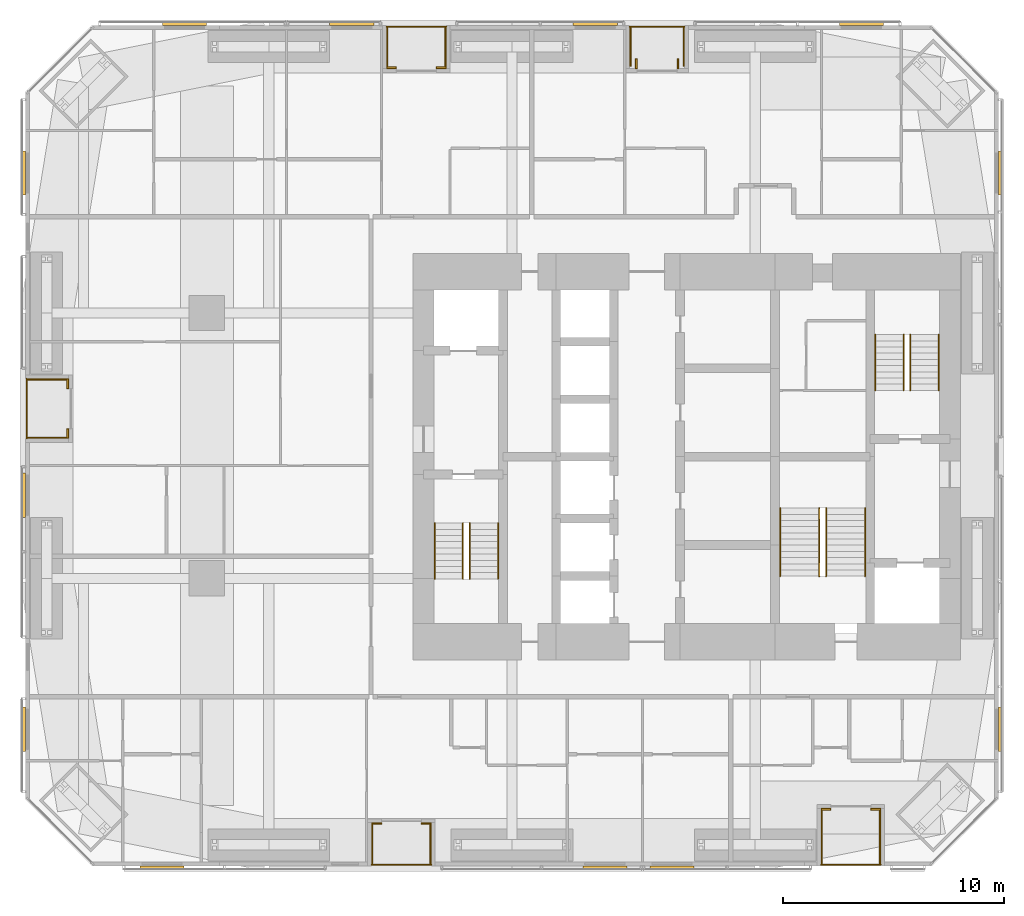
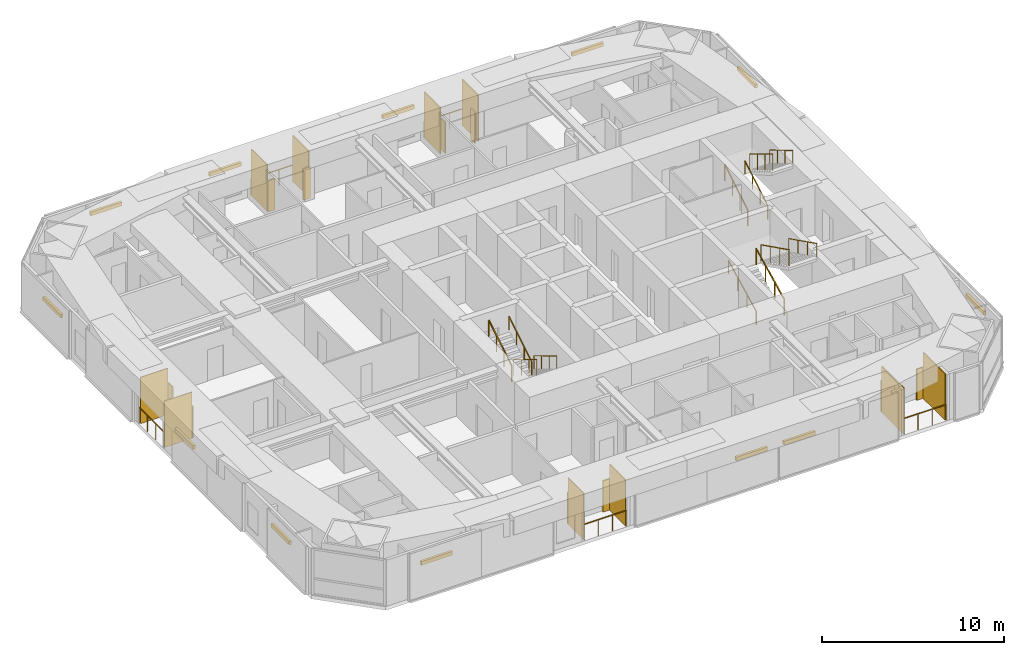
# One storey, part 22 of 22: 32 shading devices, 17 railings.
"""IFC4 building model written with IfcOpenShell, lengths in metres."""

from ifc_helpers import new_model, si_unit, direction, frame, origin, origin_2d, place, context, subcontext, project, spatial, rectangle, circle, extrude, material, layer, layer_set, constituent, constituent_set, type_object, element, save


model = new_model("IFC4")

# Units and contexts
model_context = context("Model", 3, precision=1e-05, world=origin(), true_north=direction((0.0, 1.0)))
body_context = subcontext(model_context, "Body", "Model", "MODEL_VIEW")
ifc_project = project(units=[si_unit("LENGTHUNIT", "METRE"), si_unit("AREAUNIT", "SQUARE_METRE"), si_unit("VOLUMEUNIT", "CUBIC_METRE"), si_unit("PLANEANGLEUNIT", "RADIAN"), si_unit("MASSUNIT", "GRAM", prefix="KILO")], contexts=[model_context])

# Site, building, storey
site_placement = place(None, origin())
site = spatial("IfcSite", under=ifc_project, at=site_placement, CompositionType="ELEMENT")
building_placement = place(site_placement, origin())
building = spatial("IfcBuilding", under=site, at=building_placement, Name="Jalousie Tower", CompositionType="ELEMENT")
storey_placement = place(building_placement, frame((0.0, 0.0, 67.89990234375)))
storey = spatial("IfcBuildingStorey", under=building, at=storey_placement, Name="L18", CompositionType="ELEMENT", Elevation=67.89990234375)

# Shading devices
ifc_material_1 = material(Name="Aluminium impact-rated louvred storm shutter", Category="aluminium")
shading_device_type_1 = type_object("IfcShadingDeviceType", Name="BI-FOLD STORM SHUTTER 900x2100", PredefinedType="SHUTTER", material=ifc_material_1)
for number, where, z_axis, x_axis, name in (
    (1, (17.875, 1.909912109375, 0.0), (0.0, 0.0, 1.0), (1.0, 0.0, 0.0), "Loggia storm shutter L18"),
    (2, (20.125, 1.909912109375, 0.0), (0.0, 0.0, 1.0), (1.0, 0.0, 0.0), "Loggia storm shutter L18"),
    (3, (38.199951171875, 2.56005859375, 0.0), (0.0, 0.0, 1.0), (1.0, 0.0, 0.0), "Loggia storm shutter L18"),
    (4, (40.449951171875, 2.56005859375, 0.0), (0.0, 0.0, 1.0), (1.0, 0.0, 0.0), "Loggia storm shutter L18"),
    (5, (31.50244140625, 36.27490234375, 0.0), (0.0, 0.0, 1.0), (0.0, -1.0, 0.0), "Loggia storm shutter L18"),
    (6, (29.62255859375, 36.27490234375, 0.0), (0.0, 0.0, 1.0), (0.0, -1.0, 0.0), "Loggia storm shutter L18"),
    (7, (20.800048828125, 36.090087890625, 0.0), (0.0, 0.0, 1.0), (-1.0, 0.0, 0.0), "Loggia storm shutter L18"),
    (8, (18.550048828125, 36.090087890625, 0.0), (0.0, 0.0, 1.0), (-1.0, 0.0, 0.0), "Loggia storm shutter L18"),
    (9, (3.909912109375, 21.800048828125, 0.0), (0.0, 0.0, 1.0), (0.0, -1.0, 0.0), "Loggia storm shutter L18"),
    (10, (3.909912109375, 19.550048828125, 0.0), (0.0, 0.0, 1.0), (0.0, -1.0, 0.0), "Loggia storm shutter L18"),
):
    element("IfcShadingDevice", number, at=place(storey_placement, frame(where, z_axis=z_axis, x_axis=x_axis)), inside=storey, type_object=shading_device_type_1, Name=name, PredefinedType="SHUTTER", context=body_context, shape_type="SweptSolid", body=[
        extrude(rectangle(XDim=0.449951171875, YDim=0.080078125, at=origin_2d()), origin(), (0.0, 0.0, 1.0), 2.10009765625),
    ])

# Railings
ifc_material_2 = material(Name="Powder-coated aluminium fretwork", Category="aluminium")
railing_type_1 = type_object("IfcRailingType", Name="FRETWORK BALUSTRADE 1100", PredefinedType="BALUSTRADE", material=ifc_material_2)
railing_1_placement = place(storey_placement, frame((17.64990234375, 0.050048828125, 0.0)))
element("IfcRailing", 11, at=railing_1_placement, inside=storey, type_object=railing_type_1, Name="Loggia fretwork balustrade L18", PredefinedType="BALUSTRADE", context=body_context, shape_type="SweptSolid", body=[
    extrude(rectangle(XDim=0.048095703125, YDim=0.048095703125, at=origin_2d()), frame((0.0, 0.0, 1.076171875), z_axis=(1.0, 0.0, 0.0), x_axis=(0.0, 1.0, 0.0)), (0.0, 0.0, 1.0), 2.7001953125),
    extrude(circle(Radius=0.02099609375, at=origin_2d()), origin(), (0.0, 0.0, 1.0), 1.052001953125),
    extrude(circle(Radius=0.02099609375, at=origin_2d()), frame((0.900146484375, 0.0, 0.0)), (0.0, 0.0, 1.0), 1.052001953125),
    extrude(circle(Radius=0.02099609375, at=origin_2d()), frame((1.800048828125, 0.0, 0.0)), (0.0, 0.0, 1.0), 1.052001953125),
    extrude(circle(Radius=0.02099609375, at=origin_2d()), frame((2.7001953125, 0.0, 0.0)), (0.0, 0.0, 1.0), 1.052001953125),
])
railing_2_placement = place(storey_placement, frame((37.97509765625, 0.050048828125, 0.0)))
element("IfcRailing", 12, at=railing_2_placement, inside=storey, type_object=railing_type_1, Name="Loggia fretwork balustrade L18", PredefinedType="BALUSTRADE", context=body_context, shape_type="SweptSolid", body=[
    extrude(rectangle(XDim=0.048095703125, YDim=0.048095703125, at=origin_2d()), frame((0.0, 0.0, 1.076171875), z_axis=(1.0, 0.0, 0.0), x_axis=(0.0, 1.0, 0.0)), (0.0, 0.0, 1.0), 2.699951171875),
    extrude(circle(Radius=0.02099609375, at=origin_2d()), origin(), (0.0, 0.0, 1.0), 1.052001953125),
    extrude(circle(Radius=0.02099609375, at=origin_2d()), frame((0.89990234375, 0.0, 0.0)), (0.0, 0.0, 1.0), 1.052001953125),
    extrude(circle(Radius=0.02099609375, at=origin_2d()), frame((1.800048828125, 0.0, 0.0)), (0.0, 0.0, 1.0), 1.052001953125),
    extrude(circle(Radius=0.02099609375, at=origin_2d()), frame((2.699951171875, 0.0, 0.0)), (0.0, 0.0, 1.0), 1.052001953125),
])
railing_3_placement = place(storey_placement, frame((31.800048828125, 37.949951171875, 0.0)))
element("IfcRailing", 13, at=railing_3_placement, inside=storey, type_object=railing_type_1, Name="Loggia fretwork balustrade L18", PredefinedType="BALUSTRADE", context=body_context, shape_type="SweptSolid", body=[
    extrude(rectangle(XDim=0.048095703125, YDim=0.048095703125, at=origin_2d()), frame((0.0, 0.0, 1.076171875), z_axis=(-1.0, 0.0, 0.0), x_axis=(0.0, -1.0, 0.0)), (0.0, 0.0, 1.0), 2.47509765625),
    extrude(circle(Radius=0.02099609375, at=origin_2d()), origin(), (0.0, 0.0, 1.0), 1.052001953125),
    extrude(circle(Radius=0.02099609375, at=origin_2d()), frame((-0.824951171875, 0.0, 0.0)), (0.0, 0.0, 1.0), 1.052001953125),
    extrude(circle(Radius=0.02099609375, at=origin_2d()), frame((-1.650146484375, 0.0, 0.0)), (0.0, 0.0, 1.0), 1.052001953125),
    extrude(circle(Radius=0.02099609375, at=origin_2d()), frame((-2.47509765625, 0.0, 0.0)), (0.0, 0.0, 1.0), 1.052001953125),
])
railing_4_placement = place(storey_placement, frame((21.02490234375, 37.949951171875, 0.0)))
element("IfcRailing", 14, at=railing_4_placement, inside=storey, type_object=railing_type_1, Name="Loggia fretwork balustrade L18", PredefinedType="BALUSTRADE", context=body_context, shape_type="SweptSolid", body=[
    extrude(rectangle(XDim=0.048095703125, YDim=0.048095703125, at=origin_2d()), frame((0.0, 0.0, 1.076171875), z_axis=(-1.0, 0.0, 0.0), x_axis=(0.0, -1.0, 0.0)), (0.0, 0.0, 1.0), 2.699951171875),
    extrude(circle(Radius=0.02099609375, at=origin_2d()), origin(), (0.0, 0.0, 1.0), 1.052001953125),
    extrude(circle(Radius=0.02099609375, at=origin_2d()), frame((-0.89990234375, 0.0, 0.0)), (0.0, 0.0, 1.0), 1.052001953125),
    extrude(circle(Radius=0.02099609375, at=origin_2d()), frame((-1.800048828125, 0.0, 0.0)), (0.0, 0.0, 1.0), 1.052001953125),
    extrude(circle(Radius=0.02099609375, at=origin_2d()), frame((-2.699951171875, 0.0, 0.0)), (0.0, 0.0, 1.0), 1.052001953125),
])
railing_5_placement = place(storey_placement, frame((2.050048828125, 22.02490234375, 0.0)))
element("IfcRailing", 15, at=railing_5_placement, inside=storey, type_object=railing_type_1, Name="Loggia fretwork balustrade L18", PredefinedType="BALUSTRADE", context=body_context, shape_type="SweptSolid", body=[
    extrude(rectangle(XDim=0.048095703125, YDim=0.048095703125, at=origin_2d()), frame((0.0, 0.0, 1.076171875), z_axis=(0.0, -1.0, 0.0), x_axis=(1.0, 0.0, 0.0)), (0.0, 0.0, 1.0), 2.699951171875),
    extrude(circle(Radius=0.02099609375, at=origin_2d()), origin(), (0.0, 0.0, 1.0), 1.052001953125),
    extrude(circle(Radius=0.02099609375, at=origin_2d()), frame((0.0, -0.89990234375, 0.0)), (0.0, 0.0, 1.0), 1.052001953125),
    extrude(circle(Radius=0.02099609375, at=origin_2d()), frame((0.0, -1.800048828125, 0.0)), (0.0, 0.0, 1.0), 1.052001953125),
    extrude(circle(Radius=0.02099609375, at=origin_2d()), frame((0.0, -2.699951171875, 0.0)), (0.0, 0.0, 1.0), 1.052001953125),
])

# Shading devices
ifc_material_3 = material(Name="Powder-coated aluminium louvres", Category="aluminium")
ifc_layer = layer(ifc_material_3, 0.06005859375)
ifc_layer_set = layer_set([ifc_layer], Name="Powder-coated aluminium louvres")
shading_device_type_2 = type_object("IfcShadingDeviceType", Name="JALOUSIE LOUVRE SCREEN", PredefinedType="JALOUSIE", material=ifc_layer_set)
for number, where, z_axis, x_axis, name in (
    (16, (17.679931640625, 0.97509765625, 0.0), (0.0, 0.0, 1.0), (1.0, 0.0, 0.0), "Loggia jalousie louvre screen L18"),
    (17, (20.320068359375, 0.97509765625, 0.0), (0.0, 0.0, 1.0), (1.0, 0.0, 0.0), "Loggia jalousie louvre screen L18"),
):
    element("IfcShadingDevice", number, at=place(storey_placement, frame(where, z_axis=z_axis, x_axis=x_axis)), inside=storey, type_object=shading_device_type_2, Name=name, PredefinedType="JALOUSIE", context=body_context, shape_type="SweptSolid", body=[
        extrude(rectangle(XDim=0.06005859375, YDim=1.75, at=origin_2d()), origin(), (0.0, 0.0, 1.0), 3.110107421875),
    ])
for number, where, z_axis, x_axis, name in (
    (18, (38.0048828125, 1.300048828125, 0.0), (0.0, 0.0, 1.0), (1.0, 0.0, 0.0), "Loggia jalousie louvre screen L18"),
    (19, (40.64501953125, 1.300048828125, 0.0), (0.0, 0.0, 1.0), (1.0, 0.0, 0.0), "Loggia jalousie louvre screen L18"),
):
    element("IfcShadingDevice", number, at=place(storey_placement, frame(where, z_axis=z_axis, x_axis=x_axis)), inside=storey, type_object=shading_device_type_2, Name=name, PredefinedType="JALOUSIE", context=body_context, shape_type="SweptSolid", body=[
        extrude(rectangle(XDim=0.06005859375, YDim=2.39990234375, at=origin_2d()), origin(), (0.0, 0.0, 1.0), 3.110107421875),
    ])
for number, where, z_axis, x_axis, name in (
    (20, (31.77001953125, 37.02490234375, 0.0), (0.0, 0.0, 1.0), (-1.0, 0.0, 0.0), "Loggia jalousie louvre screen L18"),
    (21, (29.35498046875, 37.02490234375, 0.0), (0.0, 0.0, 1.0), (-1.0, 0.0, 0.0), "Loggia jalousie louvre screen L18"),
    (22, (20.9951171875, 37.02490234375, 0.0), (0.0, 0.0, 1.0), (-1.0, 0.0, 0.0), "Loggia jalousie louvre screen L18"),
    (23, (18.35498046875, 37.02490234375, 0.0), (0.0, 0.0, 1.0), (-1.0, 0.0, 0.0), "Loggia jalousie louvre screen L18"),
    (24, (2.97509765625, 21.9951171875, 0.0), (0.0, 0.0, 1.0), (0.0, -1.0, 0.0), "Loggia jalousie louvre screen L18"),
    (25, (2.97509765625, 19.35498046875, 0.0), (0.0, 0.0, 1.0), (0.0, -1.0, 0.0), "Loggia jalousie louvre screen L18"),
):
    element("IfcShadingDevice", number, at=place(storey_placement, frame(where, z_axis=z_axis, x_axis=x_axis)), inside=storey, type_object=shading_device_type_2, Name=name, PredefinedType="JALOUSIE", context=body_context, shape_type="SweptSolid", body=[
        extrude(rectangle(XDim=0.06005859375, YDim=1.75, at=origin_2d()), origin(), (0.0, 0.0, 1.0), 3.110107421875),
    ])

# Railings
ifc_material_4 = material(Name="Steel ASTM A500 Grade C", Category="steel")
ifc_constituent_1 = constituent(ifc_material_4, Name="Body")
ifc_material_5 = material(Name="Hot-dip galvanised zinc coating")
ifc_constituent_2 = constituent(ifc_material_5, Name="Finish")
ifc_constituent_set_1 = constituent_set(constituents=[ifc_constituent_1, ifc_constituent_2])
railing_type_2 = type_object("IfcRailingType", Name="STAIR GUARD 1100", PredefinedType="GUARDRAIL", material=ifc_constituent_set_1)
railing_6_placement = place(storey_placement, frame((22.092529296875, 15.49755859375, 0.16748046875)))
element("IfcRailing", 26, at=railing_6_placement, inside=storey, type_object=railing_type_2, Name="Exit stair A guard L18 flight 1", PredefinedType="GUARDRAIL", context=body_context, shape_type="SweptSolid", body=[
    extrude(rectangle(XDim=0.048095703125, YDim=0.048095703125, at=origin_2d()), frame((0.0, 0.0, 1.076171875), z_axis=(0.0, -0.858159760407, 0.513382728203), x_axis=(1.0, 0.0, 0.0)), (0.0, 0.0, 1.0), 2.9365234375),
    extrude(circle(Radius=0.02099609375, at=origin_2d()), origin(), (0.0, 0.0, 1.0), 1.052001953125),
    extrude(circle(Radius=0.02099609375, at=origin_2d()), frame((0.0, -0.840087890625, 0.50244140625)), (0.0, 0.0, 1.0), 1.052001953125),
    extrude(circle(Radius=0.02099609375, at=origin_2d()), frame((0.0, -1.679931640625, 1.005126953125)), (0.0, 0.0, 1.0), 1.052001953125),
    extrude(circle(Radius=0.02099609375, at=origin_2d()), frame((0.0, -2.52001953125, 1.507568359375)), (0.0, 0.0, 1.0), 1.052001953125),
])
for number, where, name in (
    (27, (20.5048828125, 12.9775390625, 1.842529296875), "Exit stair A guard L18 flight 2"),
    (28, (40.43017578125, 21.50244140625, 0.16748046875), "Exit stair B guard L18 flight 1"),
):
    element("IfcRailing", number, at=place(storey_placement, frame(where)), inside=storey, type_object=railing_type_2, Name=name, PredefinedType="GUARDRAIL", context=body_context, shape_type="SweptSolid", body=[
        extrude(rectangle(XDim=0.048095703125, YDim=0.048095703125, at=origin_2d()), frame((0.0, 0.0, 1.076171875), z_axis=(0.0, 0.858159760407, 0.513382728203), x_axis=(-1.0, 0.0, 0.0)), (0.0, 0.0, 1.0), 2.9365234375),
        extrude(circle(Radius=0.02099609375, at=origin_2d()), origin(), (0.0, 0.0, 1.0), 1.052001953125),
        extrude(circle(Radius=0.02099609375, at=origin_2d()), frame((0.0, 0.840087890625, 0.50244140625)), (0.0, 0.0, 1.0), 1.052001953125),
        extrude(circle(Radius=0.02099609375, at=origin_2d()), frame((0.0, 1.679931640625, 1.005126953125)), (0.0, 0.0, 1.0), 1.052001953125),
        extrude(circle(Radius=0.02099609375, at=origin_2d()), frame((0.0, 2.52001953125, 1.507568359375)), (0.0, 0.0, 1.0), 1.052001953125),
    ])
railing_7_placement = place(storey_placement, frame((42.017578125, 24.0224609375, 1.842529296875)))
element("IfcRailing", 29, at=railing_7_placement, inside=storey, type_object=railing_type_2, Name="Exit stair B guard L18 flight 2", PredefinedType="GUARDRAIL", context=body_context, shape_type="SweptSolid", body=[
    extrude(rectangle(XDim=0.048095703125, YDim=0.048095703125, at=origin_2d()), frame((0.0, 0.0, 1.076171875), z_axis=(0.0, -0.858159760407, 0.513382728203), x_axis=(1.0, 0.0, 0.0)), (0.0, 0.0, 1.0), 2.9365234375),
    extrude(circle(Radius=0.02099609375, at=origin_2d()), origin(), (0.0, 0.0, 1.0), 1.052001953125),
    extrude(circle(Radius=0.02099609375, at=origin_2d()), frame((0.0, -0.840087890625, 0.50244140625)), (0.0, 0.0, 1.0), 1.052001953125),
    extrude(circle(Radius=0.02099609375, at=origin_2d()), frame((0.0, -1.679931640625, 1.005126953125)), (0.0, 0.0, 1.0), 1.052001953125),
    extrude(circle(Radius=0.02099609375, at=origin_2d()), frame((0.0, -2.52001953125, 1.507568359375)), (0.0, 0.0, 1.0), 1.052001953125),
])
railing_8_placement = place(storey_placement, frame((37.89501953125, 13.097412109375, 0.1396484375)))
element("IfcRailing", 30, at=railing_8_placement, inside=storey, type_object=railing_type_2, Name="Exit stair C guard L18 flight 1", PredefinedType="GUARDRAIL", context=body_context, shape_type="SweptSolid", body=[
    extrude(rectangle(XDim=0.048095703125, YDim=0.048095703125, at=origin_2d()), frame((0.0, 0.0, 1.076171875), z_axis=(0.0, 0.894965676997, 0.446134998624), x_axis=(-1.0, 0.0, 0.0)), (0.0, 0.0, 1.0), 3.441650390625),
    extrude(circle(Radius=0.02099609375, at=origin_2d()), origin(), (0.0, 0.0, 1.0), 1.052001953125),
    extrude(circle(Radius=0.02099609375, at=origin_2d()), frame((0.0, 1.026611328125, 0.51171875)), (0.0, 0.0, 1.0), 1.052001953125),
    extrude(circle(Radius=0.02099609375, at=origin_2d()), frame((0.0, 2.053466796875, 1.023681640625)), (0.0, 0.0, 1.0), 1.052001953125),
    extrude(circle(Radius=0.02099609375, at=origin_2d()), frame((0.0, 3.080078125, 1.535400390625)), (0.0, 0.0, 1.0), 1.052001953125),
])
railing_9_placement = place(storey_placement, frame((38.205078125, 16.177490234375, 1.814697265625)))
element("IfcRailing", 31, at=railing_9_placement, inside=storey, type_object=railing_type_2, Name="Exit stair C guard L18 flight 2", PredefinedType="GUARDRAIL", context=body_context, shape_type="SweptSolid", body=[
    extrude(rectangle(XDim=0.048095703125, YDim=0.048095703125, at=origin_2d()), frame((0.0, 0.0, 1.076171875), z_axis=(0.0, -0.894965676997, 0.446134998624), x_axis=(1.0, 0.0, 0.0)), (0.0, 0.0, 1.0), 3.441650390625),
    extrude(circle(Radius=0.02099609375, at=origin_2d()), origin(), (0.0, 0.0, 1.0), 1.052001953125),
    extrude(circle(Radius=0.02099609375, at=origin_2d()), frame((0.0, -1.026611328125, 0.51171875)), (0.0, 0.0, 1.0), 1.052001953125),
    extrude(circle(Radius=0.02099609375, at=origin_2d()), frame((0.0, -2.053466796875, 1.023681640625)), (0.0, 0.0, 1.0), 1.052001953125),
    extrude(circle(Radius=0.02099609375, at=origin_2d()), frame((0.0, -3.080078125, 1.535400390625)), (0.0, 0.0, 1.0), 1.052001953125),
])
ifc_material_6 = material(Name="Steel ASTM A500 Grade C", Category="steel")
ifc_constituent_3 = constituent(ifc_material_6, Name="Body")
ifc_material_7 = material(Name="Hot-dip galvanised zinc coating")
ifc_constituent_4 = constituent(ifc_material_7, Name="Finish")
ifc_constituent_set_2 = constituent_set(constituents=[ifc_constituent_3, ifc_constituent_4])
railing_type_3 = type_object("IfcRailingType", Name="STAIR HANDRAIL 900", PredefinedType="HANDRAIL", material=ifc_constituent_set_2)
railing_10_placement = place(storey_placement, frame((23.3701171875, 15.49755859375, 0.16748046875)))
element("IfcRailing", 32, at=railing_10_placement, inside=storey, type_object=railing_type_3, Name="Exit stair A handrail L18 flight 1", PredefinedType="HANDRAIL", context=body_context, shape_type="SweptSolid", body=[
    extrude(circle(Radius=0.02392578125, at=origin_2d()), frame((0.0, 0.0, 0.8759765625), z_axis=(0.0, -0.858159760407, 0.513382728203), x_axis=(1.0, 0.0, 0.0)), (0.0, 0.0, 1.0), 2.9365234375),
    extrude(circle(Radius=0.02099609375, at=origin_2d()), origin(), (0.0, 0.0, 1.0), 0.851806640625),
    extrude(circle(Radius=0.02099609375, at=origin_2d()), frame((0.0, -0.840087890625, 0.50244140625)), (0.0, 0.0, 1.0), 0.851806640625),
    extrude(circle(Radius=0.02099609375, at=origin_2d()), frame((0.0, -1.679931640625, 1.005126953125)), (0.0, 0.0, 1.0), 0.851806640625),
    extrude(circle(Radius=0.02099609375, at=origin_2d()), frame((0.0, -2.52001953125, 1.507568359375)), (0.0, 0.0, 1.0), 0.851806640625),
])
for number, where, name in (
    (33, (21.78271484375, 12.9775390625, 1.842529296875), "Exit stair A handrail L18 flight 2"),
    (34, (41.70751953125, 21.50244140625, 0.16748046875), "Exit stair B handrail L18 flight 1"),
):
    element("IfcRailing", number, at=place(storey_placement, frame(where)), inside=storey, type_object=railing_type_3, Name=name, PredefinedType="HANDRAIL", context=body_context, shape_type="SweptSolid", body=[
        extrude(circle(Radius=0.02392578125, at=origin_2d()), frame((0.0, 0.0, 0.8759765625), z_axis=(0.0, 0.858159760407, 0.513382728203), x_axis=(-1.0, 0.0, 0.0)), (0.0, 0.0, 1.0), 2.9365234375),
        extrude(circle(Radius=0.02099609375, at=origin_2d()), origin(), (0.0, 0.0, 1.0), 0.851806640625),
        extrude(circle(Radius=0.02099609375, at=origin_2d()), frame((0.0, 0.840087890625, 0.50244140625)), (0.0, 0.0, 1.0), 0.851806640625),
        extrude(circle(Radius=0.02099609375, at=origin_2d()), frame((0.0, 1.679931640625, 1.005126953125)), (0.0, 0.0, 1.0), 0.851806640625),
        extrude(circle(Radius=0.02099609375, at=origin_2d()), frame((0.0, 2.52001953125, 1.507568359375)), (0.0, 0.0, 1.0), 0.851806640625),
    ])
railing_11_placement = place(storey_placement, frame((43.294921875, 24.0224609375, 1.842529296875)))
element("IfcRailing", 35, at=railing_11_placement, inside=storey, type_object=railing_type_3, Name="Exit stair B handrail L18 flight 2", PredefinedType="HANDRAIL", context=body_context, shape_type="SweptSolid", body=[
    extrude(circle(Radius=0.02392578125, at=origin_2d()), frame((0.0, 0.0, 0.8759765625), z_axis=(0.0, -0.858159760407, 0.513382728203), x_axis=(1.0, 0.0, 0.0)), (0.0, 0.0, 1.0), 2.9365234375),
    extrude(circle(Radius=0.02099609375, at=origin_2d()), origin(), (0.0, 0.0, 1.0), 0.851806640625),
    extrude(circle(Radius=0.02099609375, at=origin_2d()), frame((0.0, -0.840087890625, 0.50244140625)), (0.0, 0.0, 1.0), 0.851806640625),
    extrude(circle(Radius=0.02099609375, at=origin_2d()), frame((0.0, -1.679931640625, 1.005126953125)), (0.0, 0.0, 1.0), 0.851806640625),
    extrude(circle(Radius=0.02099609375, at=origin_2d()), frame((0.0, -2.52001953125, 1.507568359375)), (0.0, 0.0, 1.0), 0.851806640625),
])
railing_12_placement = place(storey_placement, frame((36.1298828125, 13.097412109375, 0.1396484375)))
element("IfcRailing", 36, at=railing_12_placement, inside=storey, type_object=railing_type_3, Name="Exit stair C handrail L18 flight 1", PredefinedType="HANDRAIL", context=body_context, shape_type="SweptSolid", body=[
    extrude(circle(Radius=0.02392578125, at=origin_2d()), frame((0.0, 0.0, 0.8759765625), z_axis=(0.0, 0.894965676997, 0.446134998624), x_axis=(-1.0, 0.0, 0.0)), (0.0, 0.0, 1.0), 3.441650390625),
    extrude(circle(Radius=0.02099609375, at=origin_2d()), origin(), (0.0, 0.0, 1.0), 0.851806640625),
    extrude(circle(Radius=0.02099609375, at=origin_2d()), frame((0.0, 1.026611328125, 0.51171875)), (0.0, 0.0, 1.0), 0.851806640625),
    extrude(circle(Radius=0.02099609375, at=origin_2d()), frame((0.0, 2.053466796875, 1.023681640625)), (0.0, 0.0, 1.0), 0.851806640625),
    extrude(circle(Radius=0.02099609375, at=origin_2d()), frame((0.0, 3.080078125, 1.535400390625)), (0.0, 0.0, 1.0), 0.851806640625),
])
railing_13_placement = place(storey_placement, frame((39.969970703125, 16.177490234375, 1.814697265625)))
element("IfcRailing", 37, at=railing_13_placement, inside=storey, type_object=railing_type_3, Name="Exit stair C handrail L18 flight 2", PredefinedType="HANDRAIL", context=body_context, shape_type="SweptSolid", body=[
    extrude(circle(Radius=0.02392578125, at=origin_2d()), frame((0.0, 0.0, 0.8759765625), z_axis=(0.0, -0.894965676997, 0.446134998624), x_axis=(1.0, 0.0, 0.0)), (0.0, 0.0, 1.0), 3.441650390625),
    extrude(circle(Radius=0.02099609375, at=origin_2d()), origin(), (0.0, 0.0, 1.0), 0.851806640625),
    extrude(circle(Radius=0.02099609375, at=origin_2d()), frame((0.0, -1.026611328125, 0.51171875)), (0.0, 0.0, 1.0), 0.851806640625),
    extrude(circle(Radius=0.02099609375, at=origin_2d()), frame((0.0, -2.053466796875, 1.023681640625)), (0.0, 0.0, 1.0), 0.851806640625),
    extrude(circle(Radius=0.02099609375, at=origin_2d()), frame((0.0, -3.080078125, 1.535400390625)), (0.0, 0.0, 1.0), 0.851806640625),
])

# Shading devices
ifc_material_8 = material(Name="Aluminium roller storm shutter", Category="aluminium")
shading_device_type_3 = type_object("IfcShadingDeviceType", Name="STORM SHUTTER HOUSING", PredefinedType="SHUTTER", material=ifc_material_8)
for number, where, z_axis, x_axis, name in (
    (38, (8.175048828125, -0.074951171875, 2.10009765625), (0.0, 0.0, 1.0), (1.0, 0.0, 0.0), "Storm shutter L18"),
    (39, (28.199951171875, -0.074951171875, 2.10009765625), (0.0, 0.0, 1.0), (1.0, 0.0, 0.0), "Storm shutter L18"),
    (40, (31.235107421875, -0.074951171875, 2.10009765625), (0.0, 0.0, 1.0), (1.0, 0.0, 0.0), "Storm shutter L18"),
    (41, (46.074951171875, 6.17333984375, 2.10009765625), (0.0, 0.0, 1.0), (0.0, 1.0, 0.0), "Storm shutter L18"),
    (42, (46.074951171875, 31.32666015625, 2.10009765625), (0.0, 0.0, 1.0), (0.0, 1.0, 0.0), "Storm shutter L18"),
    (43, (39.800048828125, 38.074951171875, 2.10009765625), (0.0, 0.0, 1.0), (-1.0, 0.0, 0.0), "Storm shutter L18"),
    (44, (27.760009765625, 38.074951171875, 2.10009765625), (0.0, 0.0, 1.0), (-1.0, 0.0, 0.0), "Storm shutter L18"),
    (45, (16.757568359375, 38.074951171875, 2.10009765625), (0.0, 0.0, 1.0), (-1.0, 0.0, 0.0), "Storm shutter L18"),
    (46, (9.18505859375, 38.074951171875, 2.10009765625), (0.0, 0.0, 1.0), (-1.0, 0.0, 0.0), "Storm shutter L18"),
    (47, (1.925048828125, 31.32666015625, 2.10009765625), (0.0, 0.0, 1.0), (0.0, -1.0, 0.0), "Storm shutter L18"),
    (48, (1.925048828125, 16.762451171875, 2.10009765625), (0.0, 0.0, 1.0), (0.0, -1.0, 0.0), "Storm shutter L18"),
    (49, (1.925048828125, 6.17333984375, 2.10009765625), (0.0, 0.0, 1.0), (0.0, -1.0, 0.0), "Storm shutter L18"),
):
    element("IfcShadingDevice", number, at=place(storey_placement, frame(where, z_axis=z_axis, x_axis=x_axis)), inside=storey, type_object=shading_device_type_3, Name=name, PredefinedType="SHUTTER", context=body_context, shape_type="SweptSolid", body=[
        extrude(rectangle(XDim=2.0, YDim=0.14990234375, at=origin_2d()), origin(), (0.0, 0.0, 1.0), 0.25),
    ])

save(model, "model.ifc")
